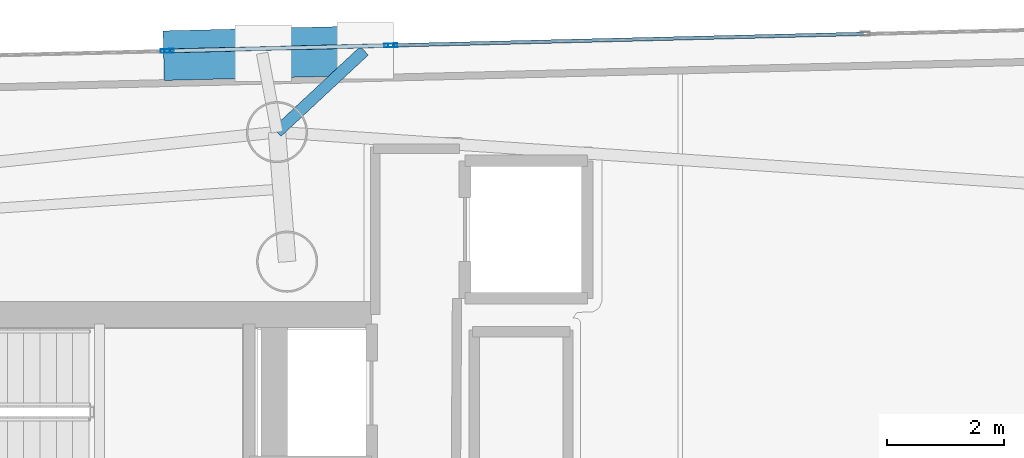
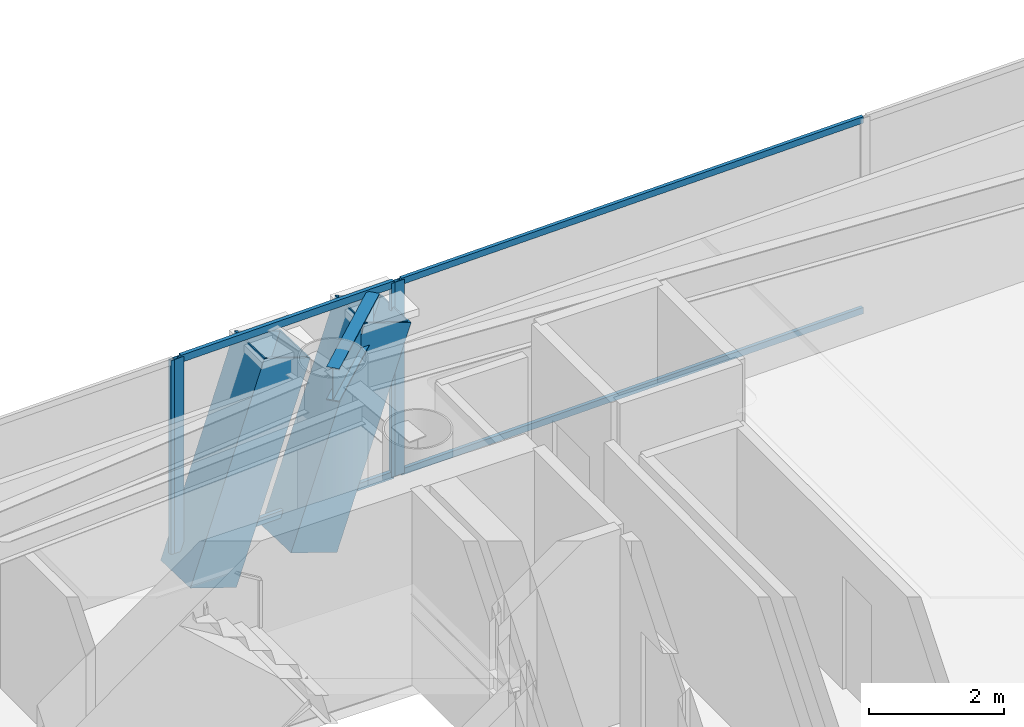
# One storey, part 11 of 20: 10 members, 1 beam, 3 elements without a shape of their own.
"""IFC4 building model written with IfcOpenShell, lengths in metres."""

from ifc_helpers import new_model, si_unit, direction, frame, origin, origin_2d, place, context, subcontext, project, spatial, hollow_rectangle, i_section, extrude, material, layer, layer_set, material_profile, profile_set, type_object, element, aggregate, save


model = new_model("IFC4")

# Units and contexts
model_context = context("Model", 3, precision=1e-05, world=origin(), true_north=direction((0.0, 1.0)))
body_context = subcontext(model_context, "Body", "Model", "MODEL_VIEW")
ifc_project = project(units=[si_unit("LENGTHUNIT", "METRE"), si_unit("AREAUNIT", "SQUARE_METRE"), si_unit("VOLUMEUNIT", "CUBIC_METRE"), si_unit("PLANEANGLEUNIT", "RADIAN"), si_unit("MASSUNIT", "GRAM", prefix="KILO")], contexts=[model_context])

# Site, building, storey
site_placement = place(None, origin())
site = spatial("IfcSite", under=ifc_project, at=site_placement, CompositionType="ELEMENT")
building_placement = place(site_placement, origin())
building = spatial("IfcBuilding", under=site, at=building_placement, Name="Qianvela Tower", CompositionType="ELEMENT")
storey_placement = place(building_placement, frame((0.0, 0.0, 257.5)))
storey = spatial("IfcBuildingStorey", under=building, at=storey_placement, Name="L66", CompositionType="ELEMENT", Elevation=257.5)

# Beam
ifc_material_1 = material(Name="Steel Q355B", Category="steel")
ifc_material_profile_1 = material_profile(ifc_material_1, i_section(OverallWidth=0.199951171875, OverallDepth=0.60009765625, WebThickness=0.010986328125, FlangeThickness=0.01708984375, at=origin_2d()), Name="HN600x200x11x17")
ifc_profile_set_1 = profile_set([ifc_material_profile_1], Name="Steel Q355B")
beam_type = type_object("IfcBeamType", Name="BM-HN600-GIRD", PredefinedType="BEAM", material=ifc_profile_set_1)
beam_placement = place(storey_placement, frame((38.22509765625, 35.77294921875, 3.218017578125), z_axis=(0.731811966843, 0.681506599518, 0.0), x_axis=(-0.681506599518, 0.731811966843, 0.0)))
element("IfcBeam", 1, at=beam_placement, inside=storey, type_object=beam_type, Name="L66 Mega-Brace Column Tie Bracket F1-1", PredefinedType="BEAM", context=body_context, shape_type="SweptSolid", body=[
    extrude(i_section(OverallWidth=0.199951171875, OverallDepth=0.60009765625, WebThickness=0.010986328125, FlangeThickness=0.01708984375, at=origin_2d()), origin(), (0.0, 0.0, 1.0), 2.048095703125),
])

# Curtain wall, members
ifc_material_2 = material(Name="Anodised Architectural Aluminium and Insulated Spandrel Panel", Category="aluminium")
ifc_layer_1 = layer(ifc_material_2, 0.179931640625)
ifc_layer_set_1 = layer_set([ifc_layer_1], Name="Anodised Architectural Aluminium and Insulated Spandrel Panel")
curtain_wall_type_1 = type_object("IfcCurtainWallType", Name="CW-BRACEBAY", PredefinedType="USERDEFINED", material=ifc_layer_set_1)
curtain_wall_1_placement = place(storey_placement, origin())
curtain_wall_1 = element("IfcCurtainWall", 2, at=curtain_wall_1_placement, inside=storey, type_object=curtain_wall_type_1, Name="L66 CW-BRACEBAY Curtain Wall 02B", ObjectType="CURTAIN_WALL_SYSTEM", PredefinedType="USERDEFINED")
ifc_material_3 = material(Name="Anodised Architectural Aluminium 6063-T6", Category="aluminium")
ifc_material_profile_2 = material_profile(ifc_material_3, hollow_rectangle(XDim=0.06494140625, YDim=0.159912109375, WallThickness=0.0048828125, at=origin_2d()), Name="ALU-MULL-65x160")
ifc_profile_set_2 = profile_set([ifc_material_profile_2], Name="Anodised Architectural Aluminium 6063-T6")
member_type_1 = type_object("IfcMemberType", Name="CW-BRACEBAY-MULL", PredefinedType="MULLION", material=ifc_profile_set_2)
member_1_placement = place(storey_placement, frame((40.14794921875, 37.25927734375, 0.0), z_axis=(0.0, 0.0, 1.0), x_axis=(0.02453153359, -0.999699056646, 0.0)))
member_1 = element("IfcMember", 3, at=member_1_placement, type_object=member_type_1, Name="CW-9 mullion 1", PredefinedType="MULLION", context=body_context, shape_type="SweptSolid", body=[
    extrude(hollow_rectangle(XDim=0.06494140625, YDim=0.159912109375, WallThickness=0.0048828125, at=origin_2d()), origin(), (0.0, 0.0, 1.0), 3.52001953125),
])
member_2_placement = place(storey_placement, frame((36.3740234375, 37.16650390625, 0.0), z_axis=(0.0, 0.0, 1.0), x_axis=(0.02453153359, -0.999699056646, 0.0)))
member_2 = element("IfcMember", 4, at=member_2_placement, type_object=member_type_1, Name="CW-9 mullion 2", PredefinedType="MULLION", context=body_context, shape_type="SweptSolid", body=[
    extrude(hollow_rectangle(XDim=0.06494140625, YDim=0.159912109375, WallThickness=0.0048828125, at=origin_2d()), origin(), (0.0, 0.0, 1.0), 3.52001953125),
])
ifc_material_4 = material(Name="Anodised Architectural Aluminium 6063-T6", Category="aluminium")
ifc_material_profile_3 = material_profile(ifc_material_4, hollow_rectangle(XDim=0.06494140625, YDim=0.1298828125, WallThickness=0.00439453125, at=origin_2d()), Name="ALU-TRAN-65x130")
ifc_profile_set_3 = profile_set([ifc_material_profile_3], Name="Anodised Architectural Aluminium 6063-T6")
member_type_2 = type_object("IfcMemberType", Name="CW-BRACEBAY-TRAN", PredefinedType="USERDEFINED", material=ifc_profile_set_3)
member_3_placement = place(storey_placement, frame((40.115478515625, 37.25830078125, 0.032470703125), z_axis=(-0.999700338648, -0.024479234201, 0.0), x_axis=(0.024479234201, -0.999700338648, 0.0)))
member_3 = element("IfcMember", 5, at=member_3_placement, type_object=member_type_2, Name="CW-9 transom 1.1", ObjectType="TRANSOM", PredefinedType="USERDEFINED", context=body_context, shape_type="SweptSolid", body=[
    extrude(hollow_rectangle(XDim=0.06494140625, YDim=0.1298828125, WallThickness=0.00439453125, at=origin_2d()), origin(), (0.0, 0.0, 1.0), 3.710205078125),
])
member_4_placement = place(storey_placement, frame((40.115478515625, 37.25830078125, 3.487548828125), z_axis=(-0.999700338648, -0.024479234201, 0.0), x_axis=(0.024479234201, -0.999700338648, 0.0)))
member_4 = element("IfcMember", 6, at=member_4_placement, type_object=member_type_2, Name="CW-9 transom 1.2", ObjectType="TRANSOM", PredefinedType="USERDEFINED", context=body_context, shape_type="SweptSolid", body=[
    extrude(hollow_rectangle(XDim=0.06494140625, YDim=0.1298828125, WallThickness=0.00439453125, at=origin_2d()), origin(), (0.0, 0.0, 1.0), 3.710205078125),
])
aggregate(curtain_wall_1, [member_1, member_2, member_3, member_4])

# Curtain wall, member
ifc_material_5 = material(Name="Anodised Architectural Aluminium and Low-E Glass", Category="aluminium")
ifc_layer_2 = layer(ifc_material_5, 0.159912109375)
ifc_layer_set_2 = layer_set([ifc_layer_2], Name="Anodised Architectural Aluminium and Low-E Glass")
curtain_wall_type_2 = type_object("IfcCurtainWallType", Name="CW-COLIV-Z56", PredefinedType="USERDEFINED", material=ifc_layer_set_2)
curtain_wall_2_placement = place(storey_placement, origin())
curtain_wall_2 = element("IfcCurtainWall", 7, at=curtain_wall_2_placement, inside=storey, type_object=curtain_wall_type_2, Name="L66 CW-COLIV-Z56 Curtain Wall 02A", ObjectType="CURTAIN_WALL_SYSTEM", PredefinedType="USERDEFINED")
ifc_material_6 = material(Name="Anodised Architectural Aluminium 6063-T6", Category="aluminium")
ifc_material_profile_4 = material_profile(ifc_material_6, hollow_rectangle(XDim=0.06494140625, YDim=0.159912109375, WallThickness=0.0048828125, at=origin_2d()), Name="ALU-MULL-65x160")
ifc_profile_set_4 = profile_set([ifc_material_profile_4], Name="Anodised Architectural Aluminium 6063-T6")
member_type_3 = type_object("IfcMemberType", Name="CW-COLIV-Z56-MULL", PredefinedType="MULLION", material=ifc_profile_set_4)
member_5_placement = place(storey_placement, frame((40.212890625, 37.2607421875, 0.0), z_axis=(0.0, 0.0, 1.0), x_axis=(0.02455772473, -0.999698413601, 0.0)))
member_5 = element("IfcMember", 8, at=member_5_placement, type_object=member_type_3, Name="CW-5 mullion 3", PredefinedType="MULLION", context=body_context, shape_type="SweptSolid", body=[
    extrude(hollow_rectangle(XDim=0.06494140625, YDim=0.159912109375, WallThickness=0.0048828125, at=origin_2d()), origin(), (0.0, 0.0, 1.0), 3.52001953125),
])

curtain_wall_3_placement = place(storey_placement, origin())
curtain_wall_3 = element("IfcCurtainWall", 9, at=curtain_wall_3_placement, inside=storey, type_object=curtain_wall_type_2, Name="L66 CW-COLIV-Z56 Curtain Wall 02C", ObjectType="CURTAIN_WALL_SYSTEM", PredefinedType="USERDEFINED")
member_6_placement = place(storey_placement, frame((36.30908203125, 37.1650390625, 0.0), z_axis=(0.0, 0.0, 1.0), x_axis=(0.024558071614, -0.99969840508, 0.0)))
member_6 = element("IfcMember", 10, at=member_6_placement, type_object=member_type_3, Name="CW-5 mullion 1", PredefinedType="MULLION", context=body_context, shape_type="SweptSolid", body=[
    extrude(hollow_rectangle(XDim=0.06494140625, YDim=0.159912109375, WallThickness=0.0048828125, at=origin_2d()), origin(), (0.0, 0.0, 1.0), 3.52001953125),
])
aggregate(curtain_wall_3, [member_6])

# Member
ifc_material_7 = material(Name="Anodised Architectural Aluminium 6063-T6", Category="aluminium")
ifc_material_profile_5 = material_profile(ifc_material_7, hollow_rectangle(XDim=0.06005859375, YDim=0.114990234375, WallThickness=0.00390625, at=origin_2d()), Name="ALU-TRAN-60x115")
ifc_profile_set_5 = profile_set([ifc_material_profile_5], Name="Anodised Architectural Aluminium 6063-T6")
member_type_4 = type_object("IfcMemberType", Name="CW-COLIV-Z56-TRAN", PredefinedType="USERDEFINED", material=ifc_profile_set_5)
member_7_placement = place(storey_placement, frame((48.285400390625, 37.458984375, 0.030029296875), z_axis=(-0.999698397926, -0.024558362806, 0.0), x_axis=(0.024558362806, -0.999698397926, 0.0)))
member_7 = element("IfcMember", 11, at=member_7_placement, type_object=member_type_4, Name="CW-5 transom 2.1", ObjectType="TRANSOM", PredefinedType="USERDEFINED", context=body_context, shape_type="SweptSolid", body=[
    extrude(hollow_rectangle(XDim=0.06005859375, YDim=0.114990234375, WallThickness=0.00390625, at=origin_2d()), origin(), (0.0, 0.0, 1.0), 8.04248046875),
])

member_8_placement = place(storey_placement, frame((48.285400390625, 37.458984375, 3.489990234375), z_axis=(-0.999698397926, -0.024558362806, 0.0), x_axis=(0.024558362806, -0.999698397926, 0.0)))
member_8 = element("IfcMember", 12, at=member_8_placement, type_object=member_type_4, Name="CW-5 transom 2.2", ObjectType="TRANSOM", PredefinedType="USERDEFINED", context=body_context, shape_type="SweptSolid", body=[
    extrude(hollow_rectangle(XDim=0.06005859375, YDim=0.114990234375, WallThickness=0.00390625, at=origin_2d()), origin(), (0.0, 0.0, 1.0), 8.04248046875),
])

aggregate(curtain_wall_2, [member_5, member_7, member_8])

# Members
ifc_material_8 = material(Name="Steel Q420GJC", Category="steel")
ifc_material_profile_6 = material_profile(ifc_material_8, hollow_rectangle(XDim=0.85009765625, YDim=0.85009765625, WallThickness=0.031982421875, at=origin_2d()), Name="MBOX-850x850x32")
ifc_profile_set_6 = profile_set([ifc_material_profile_6], Name="Steel Q420GJC")
member_type_5 = type_object("IfcMemberType", Name="MBR-MBRACE-850", PredefinedType="BRACE", material=ifc_profile_set_6)
for number, where, z_axis, x_axis, name in (
    (13, (38.434814453125, 37.13720703125, -0.48193359375), (0.328993313185, 0.008037904811, 0.944298041916), (-0.024424529601, 0.999701676678, 0.0), "L66 Tier 11 Exterior Mega-Brace F1A"),
    (14, (36.682861328125, 37.093994140625, -0.48193359375), (0.328937580898, 0.008100376116, 0.944316923379), (-0.024618412526, 0.999696920954, 0.0), "L66 Tier 11 Exterior Mega-Brace F1B"),
):
    element("IfcMember", number, at=place(storey_placement, frame(where, z_axis=z_axis, x_axis=x_axis)), inside=storey, type_object=member_type_5, Name=name, PredefinedType="BRACE", context=body_context, shape_type="SweptSolid", body=[
        extrude(hollow_rectangle(XDim=0.85009765625, YDim=0.85009765625, WallThickness=0.031982421875, at=origin_2d()), origin(), (0.0, 0.0, 1.0), 3.918212890625),
    ])

save(model, "model.ifc")
